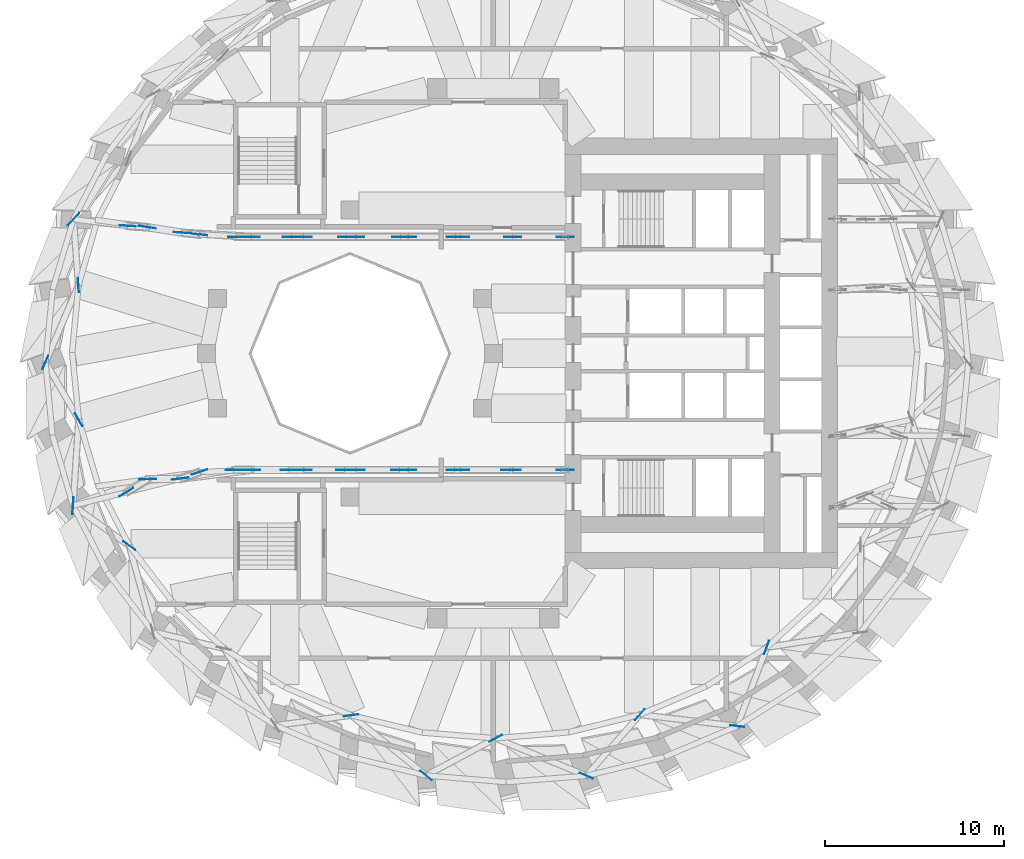
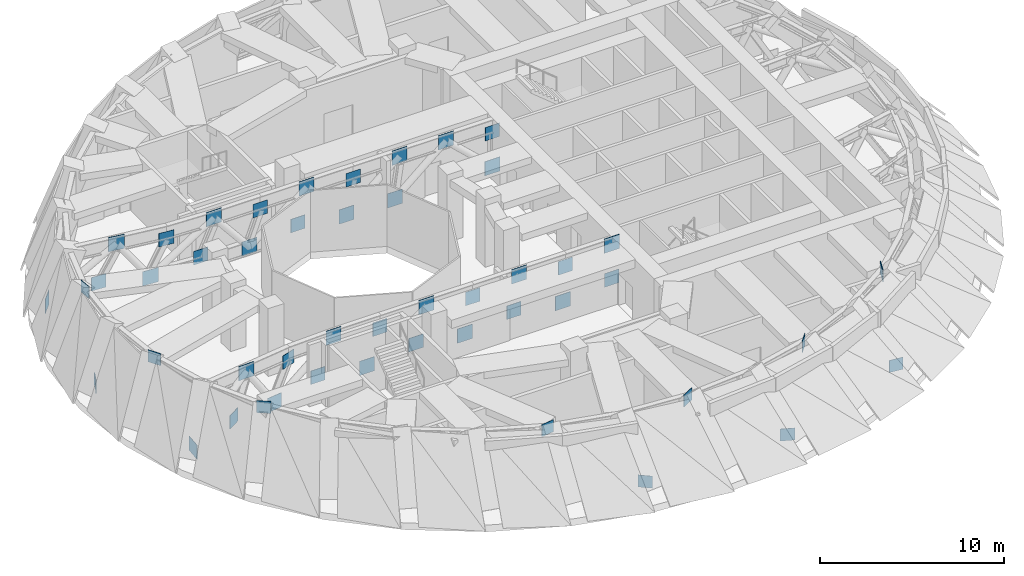
# One storey, part 10 of 14: 48 discrete accessories.
"""IFC4 building model written with IfcOpenShell, lengths in metres."""

from ifc_helpers import new_model, si_unit, direction, frame, origin, origin_2d, place, context, subcontext, project, spatial, rectangle, extrude, material, type_object, element, save


model = new_model("IFC4")

# Units and contexts
model_context = context("Model", 3, precision=1e-05, world=origin(), true_north=direction((0.0, 1.0)))
body_context = subcontext(model_context, "Body", "Model", "MODEL_VIEW")
ifc_project = project(units=[si_unit("LENGTHUNIT", "METRE"), si_unit("AREAUNIT", "SQUARE_METRE"), si_unit("VOLUMEUNIT", "CUBIC_METRE"), si_unit("PLANEANGLEUNIT", "RADIAN"), si_unit("MASSUNIT", "GRAM", prefix="KILO")], contexts=[model_context])

# Site, building, storey
site_placement = place(None, origin())
site = spatial("IfcSite", under=ifc_project, at=site_placement, CompositionType="ELEMENT")
building_placement = place(site_placement, origin())
building = spatial("IfcBuilding", under=site, at=building_placement, Name="Taillehof Tower", CompositionType="ELEMENT")
storey_placement = place(building_placement, frame((0.0, 0.0, 135.10009765625)))
storey = spatial("IfcBuildingStorey", under=building, at=storey_placement, Name="L38", CompositionType="ELEMENT", Elevation=135.10009765625)

# Discrete accessories
ifc_material = material(Name="Steel S460M", Category="steel")
discrete_accessory_type = type_object("IfcDiscreteAccessoryType", Name="Steel gusset plate", PredefinedType="BRACKET", material=ifc_material)
discrete_accessory_1_placement = place(storey_placement, frame((-24.97998046875, -0.5, 0.5), z_axis=(0.0, 0.0, 1.0), x_axis=(-0.393335438649, -0.919395036262, 0.0)))
element("IfcDiscreteAccessory", 1, at=discrete_accessory_1_placement, inside=storey, type_object=discrete_accessory_type, Name="Gusset plate 141", PredefinedType="BRACKET", context=body_context, shape_type="SweptSolid", body=[
    extrude(rectangle(XDim=0.800048828125, YDim=0.02490234375, at=origin_2d()), origin(), (0.0, 0.0, 1.0), 0.800048828125),
])
for number, where, z_axis, x_axis, name in (
    (2, (-23.43994140625, -8.489990234375, 0.4248046875), (0.0, 0.0, 1.0), (-0.066857288889, -0.997762548366, 0.0), "Gusset plate 142"),
    (3, (-23.409912109375, 7.47998046875, 0.4248046875), (0.0, 0.0, 1.0), (-0.672370683199, -0.740214606972, 0.0), "Gusset plate 143"),
):
    element("IfcDiscreteAccessory", number, at=place(storey_placement, frame(where, z_axis=z_axis, x_axis=x_axis)), inside=storey, type_object=discrete_accessory_type, Name=name, PredefinedType="BRACKET", context=body_context, shape_type="SweptSolid", body=[
        extrude(rectangle(XDim=0.949951171875, YDim=0.02490234375, at=origin_2d()), origin(), (0.0, 0.0, 1.0), 0.949951171875),
    ])
for number, where, z_axis, x_axis, name in (
    (4, (-23.139892578125, 3.800048828125, 3.4697265625), (0.0, 0.0, 1.0), (0.074849935389, -0.997194809038, 0.0), "Gusset plate 144"),
    (5, (-23.1201171875, -3.699951171875, 3.4697265625), (0.0, 0.0, 1.0), (0.50209045453, -0.86481511057, 0.0), "Gusset plate 145"),
    (6, (-20.300048828125, -10.72998046875, 3.4697265625), (0.0, 0.0, 1.0), (0.813740347024, -0.581228567454, 0.0), "Gusset plate 147"),
):
    element("IfcDiscreteAccessory", number, at=place(storey_placement, frame(where, z_axis=z_axis, x_axis=x_axis)), inside=storey, type_object=discrete_accessory_type, Name=name, PredefinedType="BRACKET", context=body_context, shape_type="SweptSolid", body=[
        extrude(rectangle(XDim=0.800048828125, YDim=0.02490234375, at=origin_2d()), origin(), (0.0, 0.0, 1.0), 0.800048828125),
    ])
for number, where, z_axis, x_axis, name in (
    (7, (-19.300048828125, 7.0400390625, 3.1650390625), (0.0, 0.0, 1.0), (-0.987807638972, 0.155679376892, 0.0), "Gusset plate 148"),
    (8, (-19.27001953125, -7.02001953125, 3.1650390625), (0.0, 0.0, 1.0), (-0.999880305676, -0.015471726497, 0.0), "Gusset plate 149"),
    (9, (-17.469970703125, -6.989990234375, 0.4248046875), (0.0, 0.0, 1.0), (-0.992418844203, -0.122901739905, 0.0), "Gusset plate 152"),
    (10, (-17.35009765625, 6.72998046875, 0.4248046875), (0.0, 0.0, 1.0), (-0.998225618634, 0.059545061111, 0.0), "Gusset plate 153"),
    (11, (-13.5, 6.5, 3.1650390625), (0.0, 0.0, 1.0), (-1.0, 0.0, 0.0), "Gusset plate 156"),
    (12, (-13.47998046875, -6.5, 3.1650390625), (0.0, 0.0, 1.0), (-1.0, 0.0, 0.0), "Gusset plate 157"),
    (13, (-11.3798828125, -6.5, 0.4248046875), (0.0, 0.0, 1.0), (-1.0, 0.0, 0.0), "Gusset plate 160"),
    (14, (-11.260009765625, 6.5, 0.4248046875), (0.0, 0.0, 1.0), (-1.0, 0.0, 0.0), "Gusset plate 161"),
):
    element("IfcDiscreteAccessory", number, at=place(storey_placement, frame(where, z_axis=z_axis, x_axis=x_axis)), inside=storey, type_object=discrete_accessory_type, Name=name, PredefinedType="BRACKET", context=body_context, shape_type="SweptSolid", body=[
        extrude(rectangle(XDim=0.949951171875, YDim=0.02490234375, at=origin_2d()), origin(), (0.0, 0.0, 1.0), 0.949951171875),
    ])
discrete_accessory_2_placement = place(storey_placement, frame((-7.929931640625, -20.18994140625, 3.4697265625), z_axis=(0.0, 0.0, 1.0), x_axis=(0.991041334784, 0.133555504379, 0.0)))
element("IfcDiscreteAccessory", 15, at=discrete_accessory_2_placement, inside=storey, type_object=discrete_accessory_type, Name="Gusset plate 163", PredefinedType="BRACKET", context=body_context, shape_type="SweptSolid", body=[
    extrude(rectangle(XDim=0.800048828125, YDim=0.02490234375, at=origin_2d()), origin(), (0.0, 0.0, 1.0), 0.800048828125),
])
for number, where, z_axis, x_axis, name in (
    (16, (-7.669921875, 6.5, 3.1650390625), (0.0, 0.0, 1.0), (-1.0, 0.0, 0.0), "Gusset plate 164"),
    (17, (-7.64990234375, -6.5, 3.1650390625), (0.0, 0.0, 1.0), (-1.0, 0.0, 0.0), "Gusset plate 165"),
    (18, (-5.22998046875, -6.5, 0.4248046875), (0.0, 0.0, 1.0), (-1.0, 0.0, 0.0), "Gusset plate 166"),
    (19, (-5.159912109375, 6.5, 0.4248046875), (0.0, 0.0, 1.0), (-1.0, 0.0, 0.0), "Gusset plate 167"),
):
    element("IfcDiscreteAccessory", number, at=place(storey_placement, frame(where, z_axis=z_axis, x_axis=x_axis)), inside=storey, type_object=discrete_accessory_type, Name=name, PredefinedType="BRACKET", context=body_context, shape_type="SweptSolid", body=[
        extrude(rectangle(XDim=0.949951171875, YDim=0.02490234375, at=origin_2d()), origin(), (0.0, 0.0, 1.0), 0.949951171875),
    ])
discrete_accessory_3_placement = place(storey_placement, frame((-3.75, -23.550048828125, 0.5), z_axis=(0.0, 0.0, 1.0), x_axis=(0.779075425377, -0.626930204706, 0.0)))
element("IfcDiscreteAccessory", 20, at=discrete_accessory_3_placement, inside=storey, type_object=discrete_accessory_type, Name="Gusset plate 169", PredefinedType="BRACKET", context=body_context, shape_type="SweptSolid", body=[
    extrude(rectangle(XDim=0.800048828125, YDim=0.02490234375, at=origin_2d()), origin(), (0.0, 0.0, 1.0), 0.800048828125),
])
for number, where, z_axis, x_axis, name in (
    (21, (-2.110107421875, 6.5, 0.4248046875), (0.0, 0.0, 1.0), (-1.0, 0.0, 0.0), "Gusset plate 170"),
    (22, (-1.830078125, -6.5, 3.1650390625), (0.0, 0.0, 1.0), (-1.0, 0.0, 0.0), "Gusset plate 171"),
    (23, (-1.830078125, 6.5, 3.1650390625), (0.0, 0.0, 1.0), (-1.0, 0.0, 0.0), "Gusset plate 172"),
):
    element("IfcDiscreteAccessory", number, at=place(storey_placement, frame(where, z_axis=z_axis, x_axis=x_axis)), inside=storey, type_object=discrete_accessory_type, Name=name, PredefinedType="BRACKET", context=body_context, shape_type="SweptSolid", body=[
        extrude(rectangle(XDim=0.949951171875, YDim=0.02490234375, at=origin_2d()), origin(), (0.0, 0.0, 1.0), 0.949951171875),
    ])
discrete_accessory_4_placement = place(storey_placement, frame((0.1298828125, -21.469970703125, 3.4697265625), z_axis=(0.0, 0.0, 1.0), x_axis=(0.881532630673, 0.472123099477, 0.0)))
element("IfcDiscreteAccessory", 24, at=discrete_accessory_4_placement, inside=storey, type_object=discrete_accessory_type, Name="Gusset plate 173", PredefinedType="BRACKET", context=body_context, shape_type="SweptSolid", body=[
    extrude(rectangle(XDim=0.800048828125, YDim=0.02490234375, at=origin_2d()), origin(), (0.0, 0.0, 1.0), 0.800048828125),
])
for number, where, z_axis, x_axis, name in (
    (25, (0.919921875, -6.5, 0.4248046875), (0.0, 0.0, 1.0), (-1.0, 0.0, 0.0), "Gusset plate 175"),
    (26, (1.080078125, 6.5, 3.1650390625), (0.0, 0.0, 1.0), (-1.0, 0.0, 0.0), "Gusset plate 176"),
    (27, (4.0, -6.5, 3.1650390625), (0.0, 0.0, 1.0), (-1.0, 0.0, 0.0), "Gusset plate 177"),
    (28, (4.0, 6.5, 0.4248046875), (0.0, 0.0, 1.0), (-1.0, 0.0, 0.0), "Gusset plate 178"),
):
    element("IfcDiscreteAccessory", number, at=place(storey_placement, frame(where, z_axis=z_axis, x_axis=x_axis)), inside=storey, type_object=discrete_accessory_type, Name=name, PredefinedType="BRACKET", context=body_context, shape_type="SweptSolid", body=[
        extrude(rectangle(XDim=0.949951171875, YDim=0.02490234375, at=origin_2d()), origin(), (0.0, 0.0, 1.0), 0.949951171875),
    ])
for number, where, z_axis, x_axis, name in (
    (29, (5.18994140625, -23.56005859375, 0.5), (0.0, 0.0, 1.0), (0.924094453167, -0.38216415534, 0.0), "Gusset plate 180"),
    (30, (8.169921875, -20.14990234375, 3.4697265625), (0.0, 0.0, 1.0), (0.658663195482, 0.752437901037, 0.0), "Gusset plate 181"),
    (31, (13.60009765625, -20.7900390625, 0.5), (0.0, 0.0, 1.0), (0.993090799403, -0.117348473106, 0.0), "Gusset plate 184"),
    (32, (15.239990234375, -16.39990234375, 3.4697265625), (0.0, 0.0, 1.0), (0.350030816491, 0.936738185144, 0.0), "Gusset plate 185"),
):
    element("IfcDiscreteAccessory", number, at=place(storey_placement, frame(where, z_axis=z_axis, x_axis=x_axis)), inside=storey, type_object=discrete_accessory_type, Name=name, PredefinedType="BRACKET", context=body_context, shape_type="SweptSolid", body=[
        extrude(rectangle(XDim=0.800048828125, YDim=0.02490234375, at=origin_2d()), origin(), (0.0, 0.0, 1.0), 0.800048828125),
    ])
for number, where, z_axis, x_axis, name in (
    (33, (4.0, 6.5, 2.72998046875), (0.0, 0.0, 1.0), (1.0, 0.0, 0.0), "Gusset plate 466"),
    (34, (-4.75, 6.5, 2.72998046875), (0.0, 0.0, 1.0), (1.0, 0.0, 0.0), "Gusset plate 467"),
    (35, (-8.2099609375, 6.5, 0.909912109375), (0.0, 0.0, 1.0), (1.0, 0.0, 0.0), "Gusset plate 468"),
    (36, (-10.580078125, 6.5, 2.72998046875), (0.0, 0.0, 1.0), (1.0, 0.0, 0.0), "Gusset plate 469"),
    (37, (-14.320068359375, 6.5, 0.909912109375), (0.0, 0.0, 1.0), (1.0, 0.0, 0.0), "Gusset plate 470"),
    (38, (-16.409912109375, 6.6298828125, 2.72998046875), (0.0, 0.0, 1.0), (0.994286081292, -0.10674824846, 0.0), "Gusset plate 471"),
    (39, (-20.3798828125, 7.110107421875, 0.909912109375), (0.0, 0.0, 1.0), (0.997977548866, -0.063567381246, 0.0), "Gusset plate 472"),
    (40, (4.0, -6.5, 0.909912109375), (0.0, 0.0, 1.0), (1.0, 0.0, 0.0), "Gusset plate 473"),
    (41, (1.090087890625, -6.5, 2.72998046875), (0.0, 0.0, 1.0), (1.0, 0.0, 0.0), "Gusset plate 474"),
    (42, (-2.14990234375, -6.5, 0.909912109375), (0.0, 0.0, 1.0), (1.0, 0.0, 0.0), "Gusset plate 475"),
    (43, (-4.739990234375, -6.5, 2.72998046875), (0.0, 0.0, 1.0), (1.0, 0.0, 0.0), "Gusset plate 476"),
    (44, (-8.300048828125, -6.5, 0.909912109375), (0.0, 0.0, 1.0), (1.0, 0.0, 0.0), "Gusset plate 477"),
    (45, (-10.570068359375, -6.5, 2.72998046875), (0.0, 0.0, 1.0), (1.0, 0.0, 0.0), "Gusset plate 478"),
    (46, (-14.4599609375, -6.5, 0.909912109375), (0.0, 0.0, 1.0), (1.0, 0.0, 0.0), "Gusset plate 479"),
    (47, (-16.389892578125, -6.6201171875, 2.72998046875), (0.0, 0.0, 1.0), (0.946158264036, 0.323704401262, 0.0), "Gusset plate 480"),
    (48, (-20.4599609375, -7.739990234375, 0.909912109375), (0.0, 0.0, 1.0), (0.85447333751, 0.519495250685, 0.0), "Gusset plate 481"),
):
    element("IfcDiscreteAccessory", number, at=place(storey_placement, frame(where, z_axis=z_axis, x_axis=x_axis)), inside=storey, type_object=discrete_accessory_type, Name=name, PredefinedType="BRACKET", context=body_context, shape_type="SweptSolid", body=[
        extrude(rectangle(XDim=0.89990234375, YDim=0.02490234375, at=origin_2d()), origin(), (0.0, 0.0, 1.0), 0.89990234375),
    ])

save(model, "model.ifc")
